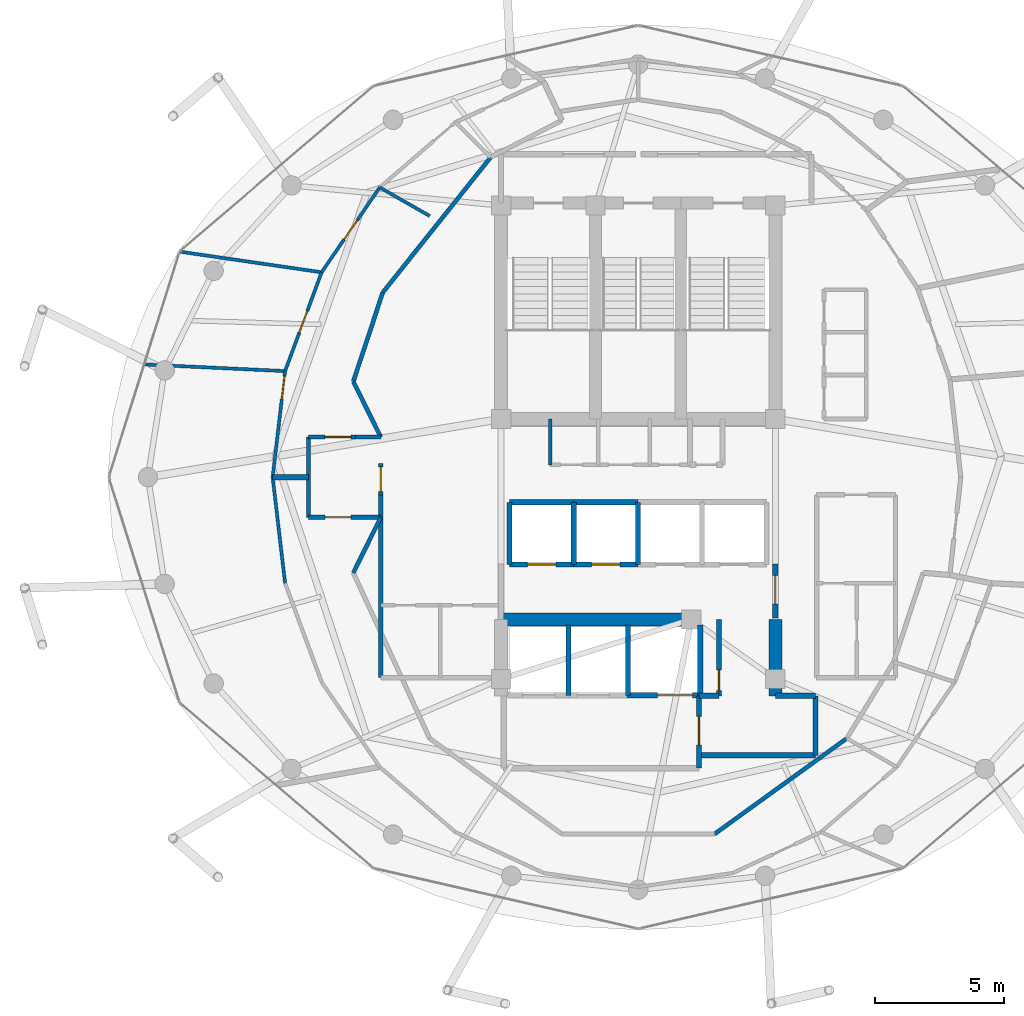
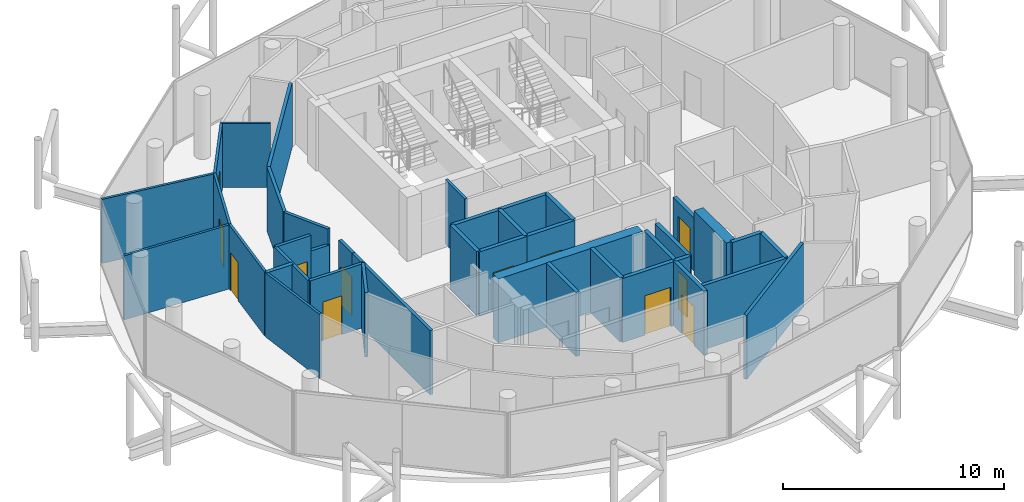
# One storey, part 20 of 24: 40 walls, 12 doors, 12 openings.
"""IFC4 building model written with IfcOpenShell, lengths in metres."""

from ifc_helpers import new_model, si_unit, direction, frame, frame_2d, origin, place, context, subcontext, project, spatial, rectangle, extrude, material, layer, layer_set, type_object, element, fill, save


model = new_model("IFC4")

# Units and contexts
model_context = context("Model", 3, precision=1e-05, world=origin(), true_north=direction((0.0, 1.0)))
body_context = subcontext(model_context, "Body", "Model", "MODEL_VIEW")
ifc_project = project(units=[si_unit("LENGTHUNIT", "METRE"), si_unit("AREAUNIT", "SQUARE_METRE"), si_unit("VOLUMEUNIT", "CUBIC_METRE"), si_unit("PLANEANGLEUNIT", "RADIAN"), si_unit("MASSUNIT", "GRAM", prefix="KILO")], contexts=[model_context])

# Site, building, storey
site_placement = place(None, origin())
site = spatial("IfcSite", under=ifc_project, at=site_placement, CompositionType="ELEMENT")
building_placement = place(site_placement, origin())
building = spatial("IfcBuilding", under=site, at=building_placement, Name="Nuhasar Tower", CompositionType="ELEMENT")
storey_placement = place(building_placement, frame((0.0, 0.0, 263.199951171875)))
storey = spatial("IfcBuildingStorey", under=building, at=storey_placement, Name="L65", CompositionType="ELEMENT", Elevation=263.199951171875)

# Walls
ifc_material_1 = material(Name="Concrete C50/60", Category="concrete")
ifc_layer_1 = layer(ifc_material_1, 0.5)
ifc_layer_set_1 = layer_set([ifc_layer_1], Name="Concrete C50/60")
wall_type_1 = type_object("IfcWallType", Name="WL-CORE-500", PredefinedType="SHEAR", material=ifc_layer_set_1)
wall_1_placement = place(storey_placement, frame((44.300048828125, 18.35009765625, 0.0), z_axis=(0.0, 0.0, 1.0), x_axis=(0.0, 1.0, 0.0)))
element("IfcWall", 1, at=wall_1_placement, inside=storey, type_object=wall_type_1, Name="L65 Core Shear Wall CW-SE CW-500", PredefinedType="SHEAR", context=body_context, shape_type="SweptSolid", body=[
    extrude(rectangle(XDim=2.949951171875, YDim=0.5, at=frame_2d((1.47509765625, 0.0))), origin(), (0.0, 0.0, 1.0), 3.5400390625),
])
wall_2_placement = place(storey_placement, frame((33.699951171875, 21.300048828125, 0.0), z_axis=(0.0, 0.0, 1.0), x_axis=(1.0, 0.0, 0.0)))
element("IfcWall", 2, at=wall_2_placement, inside=storey, type_object=wall_type_1, Name="L65 Core Shear Wall CW-S1 CW-500", PredefinedType="SHEAR", context=body_context, shape_type="SweptSolid", body=[
    extrude(rectangle(XDim=7.550048828125, YDim=0.5, at=frame_2d((3.77490234375, 0.0))), origin(), (0.0, 0.0, 1.0), 3.5400390625),
])
ifc_material_2 = material(Name="Gypsum Board", Category="gypsum")
ifc_layer_2 = layer(ifc_material_2, 0.159912109375)
ifc_layer_set_2 = layer_set([ifc_layer_2], Name="Gypsum Board")
wall_type_2 = type_object("IfcWallType", Name="WL-CORR-160", PredefinedType="PARTITIONING", material=ifc_layer_set_2)
wall_3_placement = place(storey_placement, frame((29.050048828125, 19.050048828125, 0.0), z_axis=(0.0, 0.0, 1.0), x_axis=(0.0, 1.0, 0.0)))
element("IfcWall", 3, at=wall_3_placement, inside=storey, type_object=wall_type_2, Name="L65 Interior Partition RECL-B1-W", PredefinedType="PARTITIONING", context=body_context, shape_type="SweptSolid", body=[
    extrude(rectangle(XDim=7.070068359375, YDim=0.159912109375, at=frame_2d((3.53515625, 0.0))), origin(), (0.0, 0.0, 1.0), 3.5400390625),
])

# Wall, opening, door
wall_4_placement = place(storey_placement, frame((29.050048828125, 26.1201171875, 0.0), z_axis=(0.0, 0.0, 1.0), x_axis=(0.0, 1.0, 0.0)))
wall_4 = element("IfcWall", 4, at=wall_4_placement, inside=storey, type_object=wall_type_2, Name="L65 Interior Partition WVEST-E", PredefinedType="PARTITIONING", context=body_context, shape_type="SweptSolid", body=[
    extrude(rectangle(XDim=1.199951171875, YDim=0.159912109375, at=frame_2d((0.60009765625, 0.0))), origin(), (0.0, 0.0, 1.0), 3.5400390625),
])
opening_1_placement = place(wall_4_placement, frame((0.125, 0.0, 0.0)))
opening_1 = element("IfcOpeningElement", 5, at=opening_1_placement, cuts=wall_4, Name="Opening DO-01", PredefinedType="OPENING", context=body_context, shape_type="SweptSolid", body=[
    extrude(rectangle(XDim=0.949951171875, YDim=2.14990234375, at=frame_2d((0.47509765625, 1.074951171875))), frame((0.0, 0.08984375, 0.0), z_axis=(0.0, -1.0, 0.0), x_axis=(1.0, 0.0, 0.0)), (0.0, 0.0, 1.0), 0.179931640625),
])
ifc_material_3 = material(Name="Timber Oak", Category="wood")
door_type_1 = type_object("IfcDoorType", Name="DR-OFFICE-FD30-950", OperationType="NOTDEFINED", PredefinedType="DOOR", material=ifc_material_3)
door_1_placement = place(opening_1_placement, origin())
door_1 = element("IfcDoor", 6, at=door_1_placement, inside=storey, type_object=door_type_1, Name="L65 West Arrival Foyer Core Door", OperationType="SINGLE_SWING_RIGHT", OverallHeight=2.14990234375, OverallWidth=0.949951171875, PredefinedType="DOOR", context=body_context, shape_type="SweptSolid", body=[
    extrude(rectangle(XDim=0.949951171875, YDim=2.14990234375, at=frame_2d((0.47509765625, 1.074951171875))), frame((0.0, 0.02490234375, 0.0), z_axis=(0.0, -1.0, 0.0), x_axis=(1.0, 0.0, 0.0)), (0.0, 0.0, 1.0), 0.050048828125),
])
fill(opening_1, door_1)

# Walls
wall_5_placement = place(storey_placement, frame((33.300048828125, 39.1669921875, 0.0), z_axis=(0.0, 0.0, 1.0), x_axis=(-0.623915746766, -0.781491612839, 0.0)))
element("IfcWall", 7, at=wall_5_placement, inside=storey, type_object=wall_type_2, Name="L65 Interior Partition UWEST-CORE-N2-16", PredefinedType="PARTITIONING", context=body_context, shape_type="SweptSolid", body=[
    extrude(rectangle(XDim=6.6884765625, YDim=0.159912109375, at=frame_2d((3.34423828125, 0.0))), origin(), (0.0, 0.0, 1.0), 3.5400390625),
])
wall_6_placement = place(storey_placement, frame((29.126953125, 33.93994140625, 0.0), z_axis=(0.0, 0.0, 1.0), x_axis=(-0.313985571683, -0.949427754374, 0.0)))
element("IfcWall", 8, at=wall_6_placement, inside=storey, type_object=wall_type_2, Name="L65 Interior Partition UWEST-CORE-N2-20", PredefinedType="PARTITIONING", context=body_context, shape_type="SweptSolid", body=[
    extrude(rectangle(XDim=3.627197265625, YDim=0.159912109375, at=frame_2d((1.8134765625, 0.0))), origin(), (0.0, 0.0, 1.0), 3.5400390625),
])
wall_7_placement = place(storey_placement, frame((41.950927734375, 13.007080078125, 0.0), z_axis=(0.0, 0.0, 1.0), x_axis=(0.810290119061, 0.586028943784, 0.0)))
element("IfcWall", 9, at=wall_7_placement, inside=storey, type_object=wall_type_2, Name="L65 Interior Partition UWEST-CORE-S1-38", PredefinedType="PARTITIONING", context=body_context, shape_type="SweptSolid", body=[
    extrude(rectangle(XDim=6.306396484375, YDim=0.159912109375, at=frame_2d((3.1533203125, 0.0))), origin(), (0.0, 0.0, 1.0), 3.5400390625),
])

# Wall, opening, door
wall_8_placement = place(storey_placement, frame((26.25, 28.35009765625, 0.0), z_axis=(0.0, 0.0, 1.0), x_axis=(1.0, 0.0, 0.0)))
wall_8 = element("IfcWall", 10, at=wall_8_placement, inside=storey, type_object=wall_type_2, Name="L65 Interior Partition WVEST-N", PredefinedType="PARTITIONING", context=body_context, shape_type="SweptSolid", body=[
    extrude(rectangle(XDim=1.820068359375, YDim=0.159912109375, at=frame_2d((0.91015625, 0.0))), origin(), (0.0, 0.0, 1.0), 3.5400390625),
])
opening_2_placement = place(wall_8_placement, frame((0.64990234375, 0.0, 0.0)))
opening_2 = element("IfcOpeningElement", 11, at=opening_2_placement, cuts=wall_8, Name="Opening DU-02", PredefinedType="OPENING", context=body_context, shape_type="SweptSolid", body=[
    extrude(rectangle(XDim=1.0, YDim=2.14990234375, at=frame_2d((0.5, 1.074951171875))), frame((0.0, 0.08984375, 0.0), z_axis=(0.0, -1.0, 0.0), x_axis=(1.0, 0.0, 0.0)), (0.0, 0.0, 1.0), 0.179931640625),
])
door_type_2 = type_object("IfcDoorType", Name="DR-FLAT-FD60-1000", OperationType="NOTDEFINED", PredefinedType="DOOR", material=ifc_material_3)
door_2_placement = place(opening_2_placement, origin())
door_2 = element("IfcDoor", 12, at=door_2_placement, inside=storey, type_object=door_type_2, Name="L65 North-West Sky Home Entrance", OperationType="SINGLE_SWING_LEFT", OverallHeight=2.14990234375, OverallWidth=1.0, PredefinedType="DOOR", context=body_context, shape_type="SweptSolid", body=[
    extrude(rectangle(XDim=1.0, YDim=2.14990234375, at=frame_2d((0.5, 1.074951171875))), frame((0.0, 0.02490234375, 0.0), z_axis=(0.0, -1.0, 0.0), x_axis=(1.0, 0.0, 0.0)), (0.0, 0.0, 1.0), 0.050048828125),
])
fill(opening_2, door_2)

# Wall
wall_9_placement = place(storey_placement, frame((28.070068359375, 28.35009765625, 0.0), z_axis=(0.0, 0.0, 1.0), x_axis=(1.0, 0.0, 0.0)))
element("IfcWall", 13, at=wall_9_placement, inside=storey, type_object=wall_type_2, Name="L65 Interior Partition WVEST-N", PredefinedType="PARTITIONING", context=body_context, shape_type="SweptSolid", body=[
    extrude(rectangle(XDim=0.97998046875, YDim=0.159912109375, at=frame_2d((0.489990234375, 0.0))), origin(), (0.0, 0.0, 1.0), 2.679931640625),
])

# Wall, opening, door
wall_10_placement = place(storey_placement, frame((26.25, 25.25, 0.0), z_axis=(0.0, 0.0, 1.0), x_axis=(1.0, 0.0, 0.0)))
wall_10 = element("IfcWall", 14, at=wall_10_placement, inside=storey, type_object=wall_type_2, Name="L65 Interior Partition WVEST-S", PredefinedType="PARTITIONING", context=body_context, shape_type="SweptSolid", body=[
    extrude(rectangle(XDim=2.800048828125, YDim=0.159912109375, at=frame_2d((1.39990234375, 0.0))), origin(), (0.0, 0.0, 1.0), 3.5400390625),
])
opening_3_placement = place(wall_10_placement, frame((0.64990234375, 0.0, 0.0)))
opening_3 = element("IfcOpeningElement", 15, at=opening_3_placement, cuts=wall_10, Name="Opening DU-02", PredefinedType="OPENING", context=body_context, shape_type="SweptSolid", body=[
    extrude(rectangle(XDim=1.0, YDim=2.14990234375, at=frame_2d((0.5, 1.074951171875))), frame((0.0, 0.08984375, 0.0), z_axis=(0.0, -1.0, 0.0), x_axis=(1.0, 0.0, 0.0)), (0.0, 0.0, 1.0), 0.179931640625),
])
door_3_placement = place(opening_3_placement, origin())
door_3 = element("IfcDoor", 16, at=door_3_placement, inside=storey, type_object=door_type_2, Name="L65 South-West Sky Home Entrance", OperationType="SINGLE_SWING_LEFT", OverallHeight=2.14990234375, OverallWidth=1.0, PredefinedType="DOOR", context=body_context, shape_type="SweptSolid", body=[
    extrude(rectangle(XDim=1.0, YDim=2.14990234375, at=frame_2d((0.5, 1.074951171875))), frame((0.0, 0.02490234375, 0.0), z_axis=(0.0, -1.0, 0.0), x_axis=(1.0, 0.0, 0.0)), (0.0, 0.0, 1.0), 0.050048828125),
])
fill(opening_3, door_3)

# Walls
wall_11_placement = place(storey_placement, frame((26.25, 25.25, 0.0), z_axis=(0.0, 0.0, 1.0), x_axis=(0.0, 1.0, 0.0)))
element("IfcWall", 17, at=wall_11_placement, inside=storey, type_object=wall_type_2, Name="L65 Interior Partition WVEST-W", PredefinedType="PARTITIONING", context=body_context, shape_type="SweptSolid", body=[
    extrude(rectangle(XDim=3.10009765625, YDim=0.159912109375, at=frame_2d((1.550048828125, 0.0))), origin(), (0.0, 0.0, 1.0), 3.5400390625),
])
for number, where, z_axis, x_axis, name in (
    (18, (27.988037109375, 30.49609375, 0.0), (0.0, 0.0, 1.0), (0.443539160525, -0.896254993337, 0.0), "L65 Interior Partition WVEST-CN"),
    (19, (27.988037109375, 23.10400390625, 0.0), (0.0, 0.0, 1.0), (0.443539160525, 0.896254993337, 0.0), "L65 Interior Partition WVEST-CS"),
):
    element("IfcWall", number, at=place(storey_placement, frame(where, z_axis=z_axis, x_axis=x_axis)), inside=storey, type_object=wall_type_2, Name=name, PredefinedType="PARTITIONING", context=body_context, shape_type="SweptSolid", body=[
        extrude(rectangle(XDim=2.394287109375, YDim=0.159912109375, at=frame_2d((1.197265625, 0.0))), origin(), (0.0, 0.0, 1.0), 3.5400390625),
    ])

# Wall, opening, door
ifc_material_4 = material(Name="Concrete C45/55", Category="concrete")
ifc_layer_3 = layer(ifc_material_4, 0.199951171875)
ifc_layer_set_3 = layer_set([ifc_layer_3], Name="Concrete C45/55")
wall_type_3 = type_object("IfcWallType", Name="WL-LOBBY-200", PredefinedType="SOLIDWALL", material=ifc_layer_set_3)
wall_12_placement = place(storey_placement, frame((44.300048828125, 21.35009765625, 0.0), z_axis=(0.0, 0.0, 1.0), x_axis=(0.0, 1.0, 0.0)))
wall_12 = element("IfcWall", 20, at=wall_12_placement, inside=storey, type_object=wall_type_3, Name="L65 Interior Partition LLBH-E", PredefinedType="SOLIDWALL", context=body_context, shape_type="SweptSolid", body=[
    extrude(rectangle(XDim=2.099853515625, YDim=0.199951171875, at=frame_2d((1.0498046875, 0.0))), origin(), (0.0, 0.0, 1.0), 2.925048828125),
])
opening_4_placement = place(wall_12_placement, frame((0.550048828125, 0.0, 0.0)))
opening_4 = element("IfcOpeningElement", 21, at=opening_4_placement, cuts=wall_12, Name="Opening DS-02", PredefinedType="OPENING", context=body_context, shape_type="SweptSolid", body=[
    extrude(rectangle(XDim=1.10009765625, YDim=2.14990234375, at=frame_2d((0.550048828125, 1.074951171875))), frame((0.0, 0.10986328125, 0.0), z_axis=(0.0, -1.0, 0.0), x_axis=(1.0, 0.0, 0.0)), (0.0, 0.0, 1.0), 0.219970703125),
])
ifc_material_5 = material(Name="Steel S355", Category="steel")
door_type_3 = type_object("IfcDoorType", Name="DR-FFL-FD120-1100", OperationType="NOTDEFINED", PredefinedType="DOOR", material=ifc_material_5)
door_4_placement = place(opening_4_placement, origin())
door_4 = element("IfcDoor", 22, at=door_4_placement, inside=storey, type_object=door_type_3, Name="L65 High-Rise Lobby East Door", OperationType="SINGLE_SWING_RIGHT", OverallHeight=2.14990234375, OverallWidth=1.10009765625, PredefinedType="DOOR", context=body_context, shape_type="SweptSolid", body=[
    extrude(rectangle(XDim=1.10009765625, YDim=2.14990234375, at=frame_2d((0.550048828125, 1.074951171875))), frame((0.0, 0.02490234375, 0.0), z_axis=(0.0, -1.0, 0.0), x_axis=(1.0, 0.0, 0.0)), (0.0, 0.0, 1.0), 0.050048828125),
])
fill(opening_4, door_4)

wall_13_placement = place(storey_placement, frame((41.35009765625, 15.550048828125, 0.0), z_axis=(0.0, 0.0, 1.0), x_axis=(0.0, 1.0, 0.0)))
wall_13 = element("IfcWall", 23, at=wall_13_placement, inside=storey, type_object=wall_type_3, Name="L65 Interior Partition FFL-E", PredefinedType="SOLIDWALL", context=body_context, shape_type="SweptSolid", body=[
    extrude(rectangle(XDim=2.800048828125, YDim=0.199951171875, at=frame_2d((1.39990234375, 0.0))), origin(), (0.0, 0.0, 1.0), 3.5400390625),
])
opening_5_placement = place(wall_13_placement, frame((0.89990234375, 0.0, 0.0)))
opening_5 = element("IfcOpeningElement", 24, at=opening_5_placement, cuts=wall_13, Name="Opening DS-02", PredefinedType="OPENING", context=body_context, shape_type="SweptSolid", body=[
    extrude(rectangle(XDim=1.10009765625, YDim=2.14990234375, at=frame_2d((0.550048828125, 1.074951171875))), frame((0.0, 0.10986328125, 0.0), z_axis=(0.0, -1.0, 0.0), x_axis=(1.0, 0.0, 0.0)), (0.0, 0.0, 1.0), 0.219970703125),
])
door_5_placement = place(opening_5_placement, origin())
door_5 = element("IfcDoor", 25, at=door_5_placement, inside=storey, type_object=door_type_3, Name="L65 Firefighting Lobby Door", OperationType="SINGLE_SWING_RIGHT", OverallHeight=2.14990234375, OverallWidth=1.10009765625, PredefinedType="DOOR", context=body_context, shape_type="SweptSolid", body=[
    extrude(rectangle(XDim=1.10009765625, YDim=2.14990234375, at=frame_2d((0.550048828125, 1.074951171875))), frame((0.0, 0.02490234375, 0.0), z_axis=(0.0, -1.0, 0.0), x_axis=(1.0, 0.0, 0.0)), (0.0, 0.0, 1.0), 0.050048828125),
])
fill(opening_5, door_5)

# Walls
wall_14_placement = place(storey_placement, frame((41.35009765625, 16.050048828125, 0.0), z_axis=(0.0, 0.0, 1.0), x_axis=(1.0, 0.0, 0.0)))
element("IfcWall", 26, at=wall_14_placement, inside=storey, type_object=wall_type_3, Name="L65 Interior Partition SVLV-S", PredefinedType="SOLIDWALL", context=body_context, shape_type="SweptSolid", body=[
    extrude(rectangle(XDim=4.5, YDim=0.199951171875, at=frame_2d((2.25, 0.0))), origin(), (0.0, 0.0, 1.0), 3.5400390625),
])
wall_15_placement = place(storey_placement, frame((45.85009765625, 16.050048828125, 0.0), z_axis=(0.0, 0.0, 1.0), x_axis=(0.0, 1.0, 0.0)))
element("IfcWall", 27, at=wall_15_placement, inside=storey, type_object=wall_type_3, Name="L65 Interior Partition SVLV-E", PredefinedType="SOLIDWALL", context=body_context, shape_type="SweptSolid", body=[
    extrude(rectangle(XDim=2.300048828125, YDim=0.199951171875, at=frame_2d((1.14990234375, 0.0))), origin(), (0.0, 0.0, 1.0), 3.5400390625),
])
wall_16_placement = place(storey_placement, frame((44.300048828125, 18.35009765625, 0.0), z_axis=(0.0, 0.0, 1.0), x_axis=(1.0, 0.0, 0.0)))
element("IfcWall", 28, at=wall_16_placement, inside=storey, type_object=wall_type_3, Name="L65 Interior Partition SVLV-N", PredefinedType="SOLIDWALL", context=body_context, shape_type="SweptSolid", body=[
    extrude(rectangle(XDim=1.550048828125, YDim=0.199951171875, at=frame_2d((0.77490234375, 0.0))), origin(), (0.0, 0.0, 1.0), 3.5400390625),
])
ifc_layer_4 = layer(ifc_material_2, 0.125)
ifc_layer_set_4 = layer_set([ifc_layer_4], Name="Gypsum Board")
wall_type_4 = type_object("IfcWallType", Name="WL-PART-125", PredefinedType="PARTITIONING", material=ifc_layer_set_4)
wall_17_placement = place(storey_placement, frame((30.93896484375, 36.89697265625, 0.0), z_axis=(0.0, 0.0, 1.0), x_axis=(-0.868013301924, 0.496540942606, 0.0)))
element("IfcWall", 29, at=wall_17_placement, inside=storey, type_object=wall_type_4, Name="L65 Interior Partition USI-1-KD", PredefinedType="PARTITIONING", context=body_context, shape_type="SweptSolid", body=[
    extrude(rectangle(XDim=2.223388671875, YDim=0.125, at=frame_2d((1.11181640625, 0.0))), origin(), (0.0, 0.0, 1.0), 3.5400390625),
])

# Wall, opening, door
wall_18_placement = place(storey_placement, frame((26.762939453125, 34.719970703125, 0.0), z_axis=(0.0, 0.0, 1.0), x_axis=(0.564888606623, 0.825167172219, 0.0)))
wall_18 = element("IfcWall", 30, at=wall_18_placement, inside=storey, type_object=wall_type_4, Name="L65 Interior Partition USM-1-D-18", PredefinedType="PARTITIONING", context=body_context, shape_type="SweptSolid", body=[
    extrude(rectangle(XDim=3.97607421875, YDim=0.125, at=frame_2d((1.988037109375, 0.0))), origin(), (0.0, 0.0, 1.0), 3.5400390625),
])
opening_6_placement = place(wall_18_placement, frame((1.5380859375, 0.0, 0.0)))
opening_6 = element("IfcOpeningElement", 31, at=opening_6_placement, cuts=wall_18, Name="Opening DR-01", PredefinedType="OPENING", context=body_context, shape_type="SweptSolid", body=[
    extrude(rectangle(XDim=0.89990234375, YDim=2.10009765625, at=frame_2d((0.449951171875, 1.050048828125))), frame((0.0, 0.072509765625, 0.0), z_axis=(0.0, -1.0, 0.0), x_axis=(1.0, 0.0, 0.0)), (0.0, 0.0, 1.0), 0.14501953125),
])
door_type_4 = type_object("IfcDoorType", Name="DR-ROOM-900", OperationType="NOTDEFINED", PredefinedType="DOOR", material=ifc_material_3)
door_6_placement = place(opening_6_placement, origin())
door_6 = element("IfcDoor", 32, at=door_6_placement, inside=storey, type_object=door_type_4, Name="L65 North-West Sky Home Master Bedroom Door", OperationType="SINGLE_SWING_LEFT", OverallHeight=2.10009765625, OverallWidth=0.89990234375, PredefinedType="DOOR", context=body_context, shape_type="SweptSolid", body=[
    extrude(rectangle(XDim=0.89990234375, YDim=2.10009765625, at=frame_2d((0.449951171875, 1.050048828125))), frame((0.0, 0.02490234375, 0.0), z_axis=(0.0, -1.0, 0.0), x_axis=(1.0, 0.0, 0.0)), (0.0, 0.0, 1.0), 0.050048828125),
])
fill(opening_6, door_6)

wall_19_placement = place(storey_placement, frame((25.35107421875, 30.89990234375, 0.0), z_axis=(0.0, 0.0, 1.0), x_axis=(0.346671925992, 0.937986447519, 0.0)))
wall_19 = element("IfcWall", 33, at=wall_19_placement, inside=storey, type_object=wall_type_4, Name="L65 Interior Partition USM-1-D-20", PredefinedType="PARTITIONING", context=body_context, shape_type="SweptSolid", body=[
    extrude(rectangle(XDim=4.072509765625, YDim=0.125, at=frame_2d((2.0361328125, 0.0))), origin(), (0.0, 0.0, 1.0), 3.5400390625),
])
opening_7_placement = place(wall_19_placement, frame((1.5859375, 0.0, 0.0)))
opening_7 = element("IfcOpeningElement", 34, at=opening_7_placement, cuts=wall_19, Name="Opening DR-01", PredefinedType="OPENING", context=body_context, shape_type="SweptSolid", body=[
    extrude(rectangle(XDim=0.89990234375, YDim=2.10009765625, at=frame_2d((0.449951171875, 1.050048828125))), frame((0.0, 0.072509765625, 0.0), z_axis=(0.0, -1.0, 0.0), x_axis=(1.0, 0.0, 0.0)), (0.0, 0.0, 1.0), 0.14501953125),
])
door_7_placement = place(opening_7_placement, origin())
door_7 = element("IfcDoor", 35, at=door_7_placement, inside=storey, type_object=door_type_4, Name="L65 North-West Sky Home Study Door", OperationType="SINGLE_SWING_RIGHT", OverallHeight=2.10009765625, OverallWidth=0.89990234375, PredefinedType="DOOR", context=body_context, shape_type="SweptSolid", body=[
    extrude(rectangle(XDim=0.89990234375, YDim=2.10009765625, at=frame_2d((0.449951171875, 1.050048828125))), frame((0.0, 0.02490234375, 0.0), z_axis=(0.0, -1.0, 0.0), x_axis=(1.0, 0.0, 0.0)), (0.0, 0.0, 1.0), 0.050048828125),
])
fill(opening_7, door_7)

wall_20_placement = place(storey_placement, frame((24.8701171875, 26.800048828125, 0.0), z_axis=(0.0, 0.0, 1.0), x_axis=(0.116511816348, 0.993189305546, 0.0)))
wall_20 = element("IfcWall", 36, at=wall_20_placement, inside=storey, type_object=wall_type_4, Name="L65 Interior Partition USM-1-D-22", PredefinedType="PARTITIONING", context=body_context, shape_type="SweptSolid", body=[
    extrude(rectangle(XDim=4.1279296875, YDim=0.125, at=frame_2d((2.06396484375, 0.0))), origin(), (0.0, 0.0, 1.0), 3.5400390625),
])
opening_8_placement = place(wall_20_placement, frame((3.028076171875, 0.0, 0.0)))
opening_8 = element("IfcOpeningElement", 37, at=opening_8_placement, cuts=wall_20, Name="Opening DR-01", PredefinedType="OPENING", context=body_context, shape_type="SweptSolid", body=[
    extrude(rectangle(XDim=0.89990234375, YDim=2.10009765625, at=frame_2d((0.449951171875, 1.050048828125))), frame((0.0, 0.072509765625, 0.0), z_axis=(0.0, -1.0, 0.0), x_axis=(1.0, 0.0, 0.0)), (0.0, 0.0, 1.0), 0.14501953125),
])
door_8_placement = place(opening_8_placement, origin())
door_8 = element("IfcDoor", 38, at=door_8_placement, inside=storey, type_object=door_type_4, Name="L65 North-West Sky Home Living Door", OperationType="SINGLE_SWING_RIGHT", OverallHeight=2.10009765625, OverallWidth=0.89990234375, PredefinedType="DOOR", context=body_context, shape_type="SweptSolid", body=[
    extrude(rectangle(XDim=0.89990234375, YDim=2.10009765625, at=frame_2d((0.449951171875, 1.050048828125))), frame((0.0, 0.02490234375, 0.0), z_axis=(0.0, -1.0, 0.0), x_axis=(1.0, 0.0, 0.0)), (0.0, 0.0, 1.0), 0.050048828125),
])
fill(opening_8, door_8)

# Walls
wall_21_placement = place(storey_placement, frame((24.8701171875, 26.800048828125, 0.0), z_axis=(0.0, 0.0, 1.0), x_axis=(0.116504972814, -0.993190108343, 0.0)))
element("IfcWall", 39, at=wall_21_placement, inside=storey, type_object=wall_type_4, Name="L65 Interior Partition USM-1-D-24", PredefinedType="PARTITIONING", context=body_context, shape_type="SweptSolid", body=[
    extrude(rectangle(XDim=4.128173828125, YDim=0.125, at=frame_2d((2.06396484375, 0.0))), origin(), (0.0, 0.0, 1.0), 3.5400390625),
])
wall_22_placement = place(storey_placement, frame((26.762939453125, 34.719970703125, 0.0), z_axis=(0.0, 0.0, 1.0), x_axis=(-0.989587357403, 0.143933533511, 0.0)))
element("IfcWall", 40, at=wall_22_placement, inside=storey, type_object=wall_type_4, Name="L65 Interior Partition USO-1-B1", PredefinedType="PARTITIONING", context=body_context, shape_type="SweptSolid", body=[
    extrude(rectangle(XDim=5.50927734375, YDim=0.125, at=frame_2d((2.754638671875, 0.0))), origin(), (0.0, 0.0, 1.0), 3.5400390625),
])
wall_23_placement = place(storey_placement, frame((25.35107421875, 30.89990234375, 0.0), z_axis=(0.0, 0.0, 1.0), x_axis=(-0.998872011246, 0.047483735626, 0.0)))
element("IfcWall", 41, at=wall_23_placement, inside=storey, type_object=wall_type_4, Name="L65 Interior Partition USO-1-B2", PredefinedType="PARTITIONING", context=body_context, shape_type="SweptSolid", body=[
    extrude(rectangle(XDim=5.4140625, YDim=0.125, at=frame_2d((2.70703125, 0.0))), origin(), (0.0, 0.0, 1.0), 3.5400390625),
])

# Wall, opening, door
ifc_layer_5 = layer(ifc_material_4, 0.199951171875)
ifc_layer_set_5 = layer_set([ifc_layer_5], Name="Concrete C45/55")
wall_type_5 = type_object("IfcWallType", Name="WL-SHAFT-200", PredefinedType="SOLIDWALL", material=ifc_layer_set_5)
wall_24_placement = place(storey_placement, frame((34.02001953125, 23.419921875, 0.0), z_axis=(0.0, 0.0, 1.0), x_axis=(1.0, 0.0, 0.0)))
wall_24 = element("IfcWall", 42, at=wall_24_placement, inside=storey, type_object=wall_type_5, Name="L65 Interior Partition SHF-PL-H01-S", PredefinedType="SOLIDWALL", context=body_context, shape_type="SweptSolid", body=[
    extrude(rectangle(XDim=2.5, YDim=0.199951171875, at=frame_2d((1.25, 0.0))), origin(), (0.0, 0.0, 1.0), 3.5400390625),
])
opening_9_placement = place(wall_24_placement, frame((0.699951171875, 0.0, 0.0)))
opening_9 = element("IfcOpeningElement", 43, at=opening_9_placement, cuts=wall_24, Name="Opening LD-H01", PredefinedType="OPENING", context=body_context, shape_type="SweptSolid", body=[
    extrude(rectangle(XDim=1.10009765625, YDim=2.14990234375, at=frame_2d((0.550048828125, 1.074951171875))), frame((0.0, 0.10986328125, 0.0), z_axis=(0.0, -1.0, 0.0), x_axis=(1.0, 0.0, 0.0)), (0.0, 0.0, 1.0), 0.219970703125),
])
ifc_material_6 = material(Name="Stainless Steel 316L", Category="steel")
door_type_5 = type_object("IfcDoorType", Name="LD-PAX-1100", OperationType="DOUBLE_DOOR_SLIDING", PredefinedType="DOOR", material=ifc_material_6)
door_9_placement = place(opening_9_placement, origin())
door_9 = element("IfcDoor", 44, at=door_9_placement, inside=storey, type_object=door_type_5, Name="L65 Lift Landing Door PL-H01", OperationType="DOUBLE_DOOR_SLIDING", OverallHeight=2.14990234375, OverallWidth=1.10009765625, PredefinedType="DOOR", context=body_context, shape_type="SweptSolid", body=[
    extrude(rectangle(XDim=1.10009765625, YDim=2.14990234375, at=frame_2d((0.550048828125, 1.074951171875))), frame((0.0, 0.02490234375, 0.0), z_axis=(0.0, -1.0, 0.0), x_axis=(1.0, 0.0, 0.0)), (0.0, 0.0, 1.0), 0.050048828125),
])
fill(opening_9, door_9)

# Walls
wall_25_placement = place(storey_placement, frame((34.02001953125, 25.830078125, 0.0), z_axis=(0.0, 0.0, 1.0), x_axis=(1.0, 0.0, 0.0)))
element("IfcWall", 45, at=wall_25_placement, inside=storey, type_object=wall_type_5, Name="L65 Interior Partition SHF-PL-H01-N", PredefinedType="SOLIDWALL", context=body_context, shape_type="SweptSolid", body=[
    extrude(rectangle(XDim=2.5, YDim=0.199951171875, at=frame_2d((1.25, 0.0))), origin(), (0.0, 0.0, 1.0), 3.5400390625),
])
for number, where, z_axis, x_axis, name in (
    (46, (34.02001953125, 23.419921875, 0.0), (0.0, 0.0, 1.0), (0.0, 1.0, 0.0), "L65 Interior Partition SHF-PL-H01-W"),
    (47, (36.510009765625, 23.419921875, 0.0), (0.0, 0.0, 1.0), (0.0, 1.0, 0.0), "L65 Interior Partition SHF-PL-H01-E"),
):
    element("IfcWall", number, at=place(storey_placement, frame(where, z_axis=z_axis, x_axis=x_axis)), inside=storey, type_object=wall_type_5, Name=name, PredefinedType="SOLIDWALL", context=body_context, shape_type="SweptSolid", body=[
        extrude(rectangle(XDim=2.41015625, YDim=0.199951171875, at=frame_2d((1.205078125, 0.0))), origin(), (0.0, 0.0, 1.0), 3.5400390625),
    ])

# Wall, opening, door
wall_26_placement = place(storey_placement, frame((36.5, 23.419921875, 0.0), z_axis=(0.0, 0.0, 1.0), x_axis=(1.0, 0.0, 0.0)))
wall_26 = element("IfcWall", 48, at=wall_26_placement, inside=storey, type_object=wall_type_5, Name="L65 Interior Partition SHF-PL-H02-S", PredefinedType="SOLIDWALL", context=body_context, shape_type="SweptSolid", body=[
    extrude(rectangle(XDim=2.5, YDim=0.199951171875, at=frame_2d((1.25, 0.0))), origin(), (0.0, 0.0, 1.0), 3.5400390625),
])
opening_10_placement = place(wall_26_placement, frame((0.699951171875, 0.0, 0.0)))
opening_10 = element("IfcOpeningElement", 49, at=opening_10_placement, cuts=wall_26, Name="Opening LD-H02", PredefinedType="OPENING", context=body_context, shape_type="SweptSolid", body=[
    extrude(rectangle(XDim=1.10009765625, YDim=2.14990234375, at=frame_2d((0.550048828125, 1.074951171875))), frame((0.0, 0.10986328125, 0.0), z_axis=(0.0, -1.0, 0.0), x_axis=(1.0, 0.0, 0.0)), (0.0, 0.0, 1.0), 0.219970703125),
])
door_10_placement = place(opening_10_placement, origin())
door_10 = element("IfcDoor", 50, at=door_10_placement, inside=storey, type_object=door_type_5, Name="L65 Lift Landing Door PL-H02", OperationType="DOUBLE_DOOR_SLIDING", OverallHeight=2.14990234375, OverallWidth=1.10009765625, PredefinedType="DOOR", context=body_context, shape_type="SweptSolid", body=[
    extrude(rectangle(XDim=1.10009765625, YDim=2.14990234375, at=frame_2d((0.550048828125, 1.074951171875))), frame((0.0, 0.02490234375, 0.0), z_axis=(0.0, -1.0, 0.0), x_axis=(1.0, 0.0, 0.0)), (0.0, 0.0, 1.0), 0.050048828125),
])
fill(opening_10, door_10)

# Walls
wall_27_placement = place(storey_placement, frame((36.5, 25.830078125, 0.0), z_axis=(0.0, 0.0, 1.0), x_axis=(1.0, 0.0, 0.0)))
element("IfcWall", 51, at=wall_27_placement, inside=storey, type_object=wall_type_5, Name="L65 Interior Partition SHF-PL-H02-N", PredefinedType="SOLIDWALL", context=body_context, shape_type="SweptSolid", body=[
    extrude(rectangle(XDim=2.5, YDim=0.199951171875, at=frame_2d((1.25, 0.0))), origin(), (0.0, 0.0, 1.0), 3.5400390625),
])
wall_28_placement = place(storey_placement, frame((38.989990234375, 23.419921875, 0.0), z_axis=(0.0, 0.0, 1.0), x_axis=(0.0, 1.0, 0.0)))
element("IfcWall", 52, at=wall_28_placement, inside=storey, type_object=wall_type_5, Name="L65 Interior Partition SHF-PL-H02-E", PredefinedType="SOLIDWALL", context=body_context, shape_type="SweptSolid", body=[
    extrude(rectangle(XDim=2.41015625, YDim=0.199951171875, at=frame_2d((1.205078125, 0.0))), origin(), (0.0, 0.0, 1.0), 3.5400390625),
])
for number, where, z_axis, x_axis, name in (
    (53, (36.300048828125, 18.3701171875, 0.0), (0.0, 0.0, 1.0), (0.0, 1.0, 0.0), "L65 Interior Partition SHF-FFL-01-E"),
    (54, (38.60009765625, 18.3701171875, 0.0), (0.0, 0.0, 1.0), (0.0, 1.0, 0.0), "L65 Interior Partition SHF-FFL-02-E"),
):
    element("IfcWall", number, at=place(storey_placement, frame(where, z_axis=z_axis, x_axis=x_axis)), inside=storey, type_object=wall_type_5, Name=name, PredefinedType="SOLIDWALL", context=body_context, shape_type="SweptSolid", body=[
        extrude(rectangle(XDim=2.7099609375, YDim=0.199951171875, at=frame_2d((1.35498046875, 0.0))), origin(), (0.0, 0.0, 1.0), 3.5400390625),
    ])

# Wall, opening, door
wall_29_placement = place(storey_placement, frame((38.570068359375, 18.3701171875, 0.0), z_axis=(0.0, 0.0, 1.0), x_axis=(1.0, 0.0, 0.0)))
wall_29 = element("IfcWall", 55, at=wall_29_placement, inside=storey, type_object=wall_type_5, Name="L65 Interior Partition SHF-SVL-01-S", PredefinedType="SOLIDWALL", context=body_context, shape_type="SweptSolid", body=[
    extrude(rectangle(XDim=2.829833984375, YDim=0.199951171875, at=frame_2d((1.4150390625, 0.0))), origin(), (0.0, 0.0, 1.0), 3.5400390625),
])
opening_11_placement = place(wall_29_placement, frame((1.179931640625, 0.0, 0.0)))
opening_11 = element("IfcOpeningElement", 56, at=opening_11_placement, cuts=wall_29, Name="Opening LD-S01", PredefinedType="OPENING", context=body_context, shape_type="SweptSolid", body=[
    extrude(rectangle(XDim=1.35009765625, YDim=2.179931640625, at=frame_2d((0.675048828125, 1.08984375))), frame((0.0, 0.10986328125, 0.0), z_axis=(0.0, -1.0, 0.0), x_axis=(1.0, 0.0, 0.0)), (0.0, 0.0, 1.0), 0.219970703125),
])
door_type_6 = type_object("IfcDoorType", Name="LD-SVL-1350", OperationType="DOUBLE_DOOR_SLIDING", PredefinedType="DOOR", material=ifc_material_6)
door_11_placement = place(opening_11_placement, origin())
door_11 = element("IfcDoor", 57, at=door_11_placement, inside=storey, type_object=door_type_6, Name="L65 Lift Landing Door SVL-01", OperationType="DOUBLE_DOOR_SLIDING", OverallHeight=2.179931640625, OverallWidth=1.35009765625, PredefinedType="DOOR", context=body_context, shape_type="SweptSolid", body=[
    extrude(rectangle(XDim=1.35009765625, YDim=2.179931640625, at=frame_2d((0.675048828125, 1.08984375))), frame((0.0, 0.02490234375, 0.0), z_axis=(0.0, -1.0, 0.0), x_axis=(1.0, 0.0, 0.0)), (0.0, 0.0, 1.0), 0.050048828125),
])
fill(opening_11, door_11)

# Wall
wall_30_placement = place(storey_placement, frame((41.39990234375, 18.3701171875, 0.0), z_axis=(0.0, 0.0, 1.0), x_axis=(0.0, 1.0, 0.0)))
element("IfcWall", 58, at=wall_30_placement, inside=storey, type_object=wall_type_5, Name="L65 Interior Partition SHF-SVL-01-E", PredefinedType="SOLIDWALL", context=body_context, shape_type="SweptSolid", body=[
    extrude(rectangle(XDim=2.7099609375, YDim=0.199951171875, at=frame_2d((1.35498046875, 0.0))), origin(), (0.0, 0.0, 1.0), 3.5400390625),
])

# Wall, opening, door
wall_31_placement = place(storey_placement, frame((42.1201171875, 18.35009765625, 0.0), z_axis=(0.0, 0.0, 1.0), x_axis=(0.0, 1.0, 0.0)))
wall_31 = element("IfcWall", 59, at=wall_31_placement, inside=storey, type_object=wall_type_5, Name="L65 Interior Partition RSR-E", PredefinedType="SOLIDWALL", context=body_context, shape_type="SweptSolid", body=[
    extrude(rectangle(XDim=2.949951171875, YDim=0.199951171875, at=frame_2d((1.47509765625, 0.0))), origin(), (0.0, 0.0, 1.0), 3.5400390625),
])
opening_12_placement = place(wall_31_placement, frame((0.199951171875, 0.0, 0.0)))
opening_12 = element("IfcOpeningElement", 60, at=opening_12_placement, cuts=wall_31, Name="Opening DM-01", PredefinedType="OPENING", context=body_context, shape_type="SweptSolid", body=[
    extrude(rectangle(XDim=0.800048828125, YDim=2.050048828125, at=frame_2d((0.39990234375, 1.02490234375))), frame((0.0, 0.10986328125, 0.0), z_axis=(0.0, -1.0, 0.0), x_axis=(1.0, 0.0, 0.0)), (0.0, 0.0, 1.0), 0.219970703125),
])
door_type_7 = type_object("IfcDoorType", Name="DR-RISER-FD60-800", OperationType="NOTDEFINED", PredefinedType="DOOR", material=ifc_material_5)
door_12_placement = place(opening_12_placement, origin())
door_12 = element("IfcDoor", 61, at=door_12_placement, inside=storey, type_object=door_type_7, Name="L65 MEP Riser Access Door", OperationType="SINGLE_SWING_LEFT", OverallHeight=2.050048828125, OverallWidth=0.800048828125, PredefinedType="DOOR", context=body_context, shape_type="SweptSolid", body=[
    extrude(rectangle(XDim=0.800048828125, YDim=2.050048828125, at=frame_2d((0.39990234375, 1.02490234375))), frame((0.0, 0.02490234375, 0.0), z_axis=(0.0, -1.0, 0.0), x_axis=(1.0, 0.0, 0.0)), (0.0, 0.0, 1.0), 0.050048828125),
])
fill(opening_12, door_12)

# Walls
wall_32_placement = place(storey_placement, frame((41.35009765625, 18.35009765625, 0.0), z_axis=(0.0, 0.0, 1.0), x_axis=(1.0, 0.0, 0.0)))
element("IfcWall", 62, at=wall_32_placement, inside=storey, type_object=wall_type_5, Name="L65 Interior Partition RSR-S", PredefinedType="SOLIDWALL", context=body_context, shape_type="SweptSolid", body=[
    extrude(rectangle(XDim=0.77001953125, YDim=0.199951171875, at=frame_2d((0.385009765625, 0.0))), origin(), (0.0, 0.0, 1.0), 3.5400390625),
])
ifc_material_7 = material(Name="Concrete C40/50 precast", Category="concrete")
ifc_layer_6 = layer(ifc_material_7, 0.199951171875)
ifc_layer_set_6 = layer_set([ifc_layer_6], Name="Concrete C40/50 precast")
wall_type_6 = type_object("IfcWallType", Name="WL-UNIT-200", PredefinedType="PARTITIONING", material=ifc_layer_set_6)
wall_33_placement = place(storey_placement, frame((26.25, 26.800048828125, 0.0), z_axis=(0.0, 0.0, 1.0), x_axis=(-1.0, 0.0, 0.0)))
element("IfcWall", 63, at=wall_33_placement, inside=storey, type_object=wall_type_6, Name="L65 Interior Partition UWEST-PARTY-IN", PredefinedType="PARTITIONING", context=body_context, shape_type="SweptSolid", body=[
    extrude(rectangle(XDim=1.3798828125, YDim=0.199951171875, at=frame_2d((0.68994140625, 0.0))), origin(), (0.0, 0.0, 1.0), 3.5400390625),
])
ifc_layer_7 = layer(ifc_material_7, 0.139892578125)
ifc_layer_set_7 = layer_set([ifc_layer_7], Name="Concrete C40/50 precast")
wall_type_7 = type_object("IfcWallType", Name="WL-WET-140", PredefinedType="PARTITIONING", material=ifc_layer_set_7)
wall_34_placement = place(storey_placement, frame((35.60009765625, 27.280029296875, 0.0), z_axis=(0.0, 0.0, 1.0), x_axis=(0.0, 1.0, 0.0)))
element("IfcWall", 64, at=wall_34_placement, inside=storey, type_object=wall_type_7, Name="L65 Interior Partition CSVC-W", PredefinedType="PARTITIONING", context=body_context, shape_type="SweptSolid", body=[
    extrude(rectangle(XDim=1.77001953125, YDim=0.139892578125, at=frame_2d((0.885009765625, 0.0))), origin(), (0.0, 0.0, 1.0), 3.5400390625),
])

save(model, "model.ifc")
